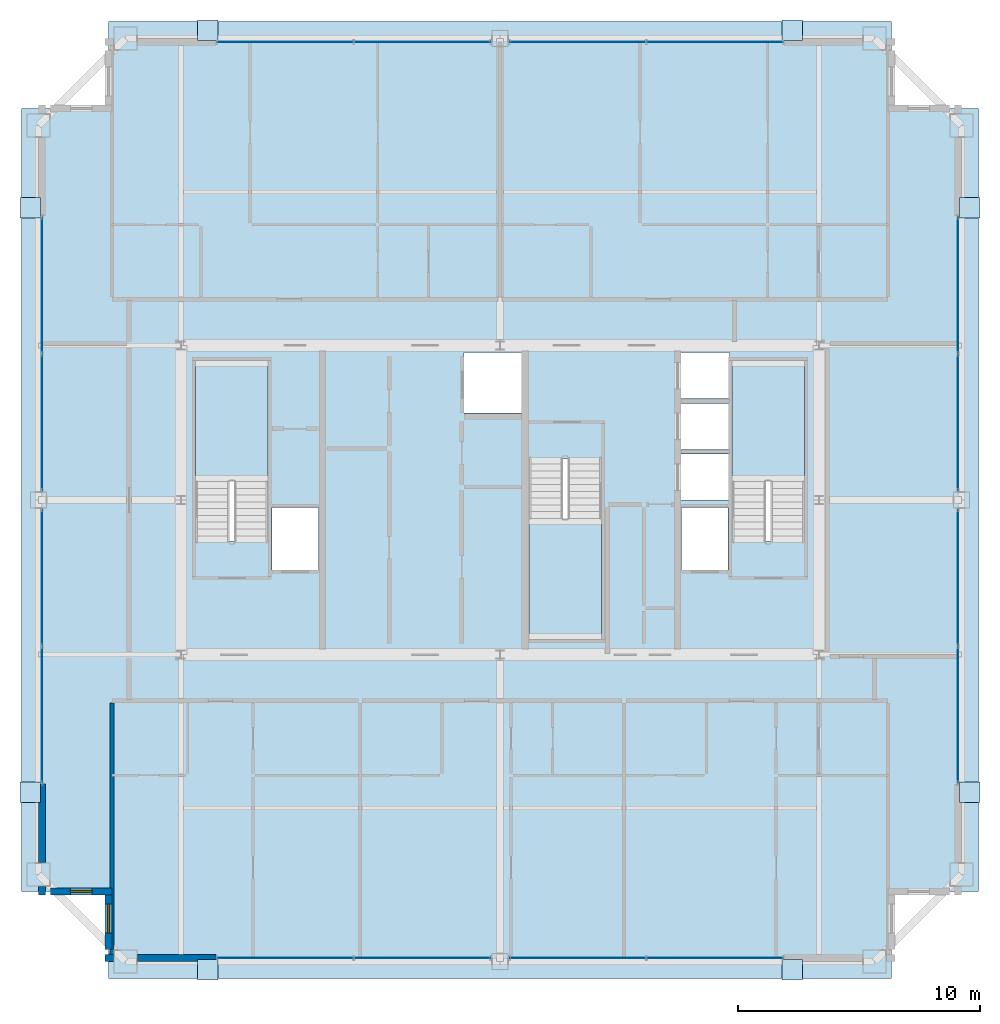
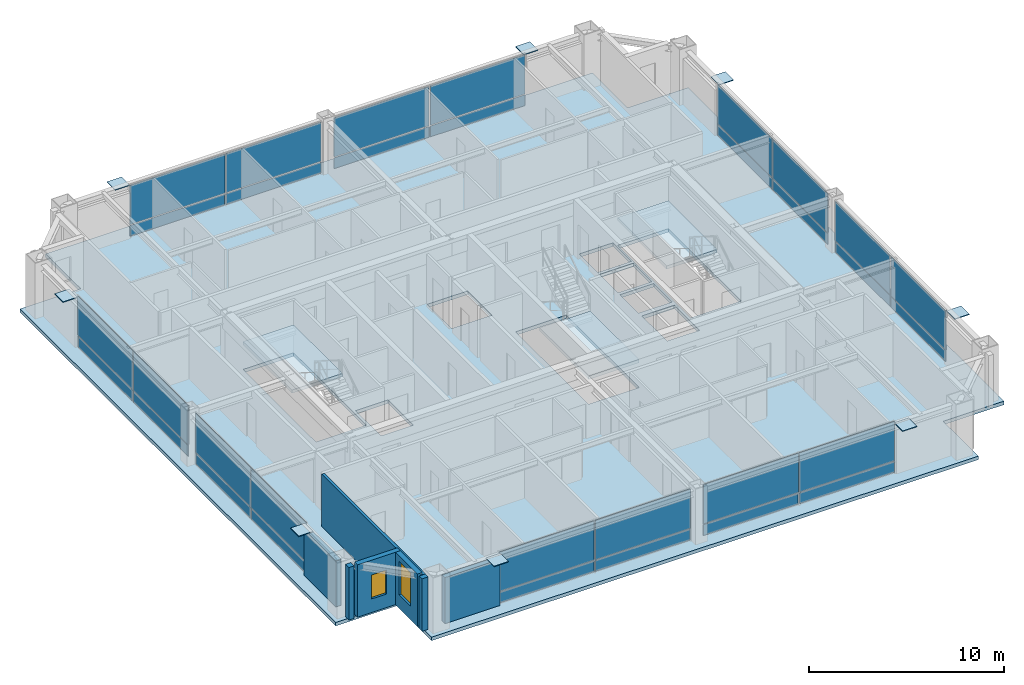
# One storey, part 29 of 35: 40 plates, 7 walls, 4 slabs, 2 windows, 2 openings, 11 elements without a shape of their own.
"""IFC4 building model written with IfcOpenShell, lengths in metres."""

import ifcopenshell
import ifcopenshell.guid

model = None  # the IFC model being written
_history = None  # IfcOwnerHistory: only IFC2X3 demands one
_inside = {}  # id of a spatial element -> (the spatial element, [elements in it])
_under = {}  # id of a project, library or spatial element -> (it, [spatial elements below it])
_declared = {}  # id of a project -> (the project, [libraries it declares])
_typed = {}  # id of a type object -> (the type object, [elements of that type])
_made_of = {}  # id of a material, layer set ... -> (it, [elements and type objects made of it])


def new_model(schema):
    """Start an empty IFC model of exactly this schema.

    Asked for "IFC4X3", IfcOpenShell would pick the latest addendum, in which some entities
    have other attributes; the version numbers below select the first issue.
    IFC2X3 requires an IfcOwnerHistory on every rooted entity: one is made here for all.
    """
    global model, _history
    if schema == "IFC4X3":
        model = ifcopenshell.file(schema_version=(4, 3, 0, 0))
    else:
        model = ifcopenshell.file(schema=schema)
    _inside.clear()
    _under.clear()
    _declared.clear()
    _typed.clear()
    _made_of.clear()
    _history = None
    if model.schema == "IFC2X3":
        org = make("IfcOrganization", Name="unknown")
        user = make(
            "IfcPersonAndOrganization",
            ThePerson=make("IfcPerson", FamilyName="unknown"),
            TheOrganization=org,
        )
        app = make(
            "IfcApplication",
            ApplicationDeveloper=org,
            Version="unknown",
            ApplicationFullName="unknown",
            ApplicationIdentifier="unknown",
        )
        _history = make(
            "IfcOwnerHistory",
            OwningUser=user,
            OwningApplication=app,
            ChangeAction="ADDED",
            CreationDate=0,
        )
    return model


def make(cls, **values):
    """One entity of the class cls with the attributes given. An attribute that is None is left unset."""
    return model.create_entity(
        cls, **{name: value for name, value in values.items() if value is not None}
    )


def rooted(cls, **values):
    """An entity with a GlobalId (a new one), such as an element, a storey or a relation."""
    return make(cls, GlobalId=ifcopenshell.guid.new(), OwnerHistory=_history, **values)


def si_unit(unit_type, name, prefix=None):
    """IfcSIUnit, for example si_unit("LENGTHUNIT", "METRE", prefix="MILLI")."""
    return make("IfcSIUnit", UnitType=unit_type, Prefix=prefix, Name=name)


def assignment(units):
    """IfcUnitAssignment: the units of a project."""
    return None if units is None else make("IfcUnitAssignment", Units=units)


def point(xyz):
    """IfcCartesianPoint."""
    return None if xyz is None else make("IfcCartesianPoint", Coordinates=xyz)


def direction(xyz):
    """IfcDirection."""
    return None if xyz is None else make("IfcDirection", DirectionRatios=xyz)


def frame(location, z_axis=None, x_axis=None):
    """IfcAxis2Placement3D, a coordinate frame: its origin and axes. An axis left out is left unset."""
    return make(
        "IfcAxis2Placement3D",
        Location=point(location),
        Axis=direction(z_axis),
        RefDirection=direction(x_axis),
    )


def frame_2d(location, x_axis=None):
    """IfcAxis2Placement2D, a coordinate frame in the plane: its origin and x axis."""
    return make(
        "IfcAxis2Placement2D", Location=point(location), RefDirection=direction(x_axis)
    )


def origin():
    """The frame at (0, 0, 0) with its axes left unset."""
    return frame((0.0, 0.0, 0.0))


def origin_2d():
    """The frame at (0, 0) in the plane with its x axis left unset."""
    return frame_2d((0.0, 0.0))


def place(relative_to, where):
    """IfcLocalPlacement: puts the frame where relative to a parent placement (None: the world)."""
    return make(
        "IfcLocalPlacement", PlacementRelTo=relative_to, RelativePlacement=where
    )


def context(
    kind, dimensions, precision=None, world=None, true_north=None, identifier=None
):
    """IfcGeometricRepresentationContext, for example the 3D "Model" context."""
    return make(
        "IfcGeometricRepresentationContext",
        ContextIdentifier=identifier,
        ContextType=kind,
        CoordinateSpaceDimension=dimensions,
        Precision=precision,
        WorldCoordinateSystem=world,
        TrueNorth=true_north,
    )


def subcontext(parent, identifier, kind, view, scale=None):
    """IfcGeometricRepresentationSubContext, for example "Body" below "Model"."""
    return make(
        "IfcGeometricRepresentationSubContext",
        ContextIdentifier=identifier,
        ContextType=kind,
        ParentContext=parent,
        TargetScale=scale,
        TargetView=view,
    )


def project(units=None, contexts=None):
    """IfcProject with its units and contexts."""
    return rooted(
        "IfcProject",
        Name="project",
        RepresentationContexts=contexts,
        UnitsInContext=assignment(units),
    )


def spatial(cls, under=None, at=None, **own):
    """A site, building, storey or space (cls), placed at a placement, below another one or the project."""
    s = rooted(cls, ObjectPlacement=at, **own)
    if under is not None:
        _under.setdefault(under.id(), (under, []))[1].append(s)
    return s


def polyline(points):
    """IfcPolyline through the points."""
    return make("IfcPolyline", Points=[point(p) for p in points])


def profile(cls, at=None, kind="AREA", **sizes):
    """A parametric profile (cls). Its sizes go by their IFC names, for example OverallWidth=200.0."""
    return make(cls, ProfileType=kind, Position=at, **sizes)


def rectangle(**sizes):
    """IfcRectangleProfileDef."""
    return profile("IfcRectangleProfileDef", **sizes)


def outline(outer, holes=None, kind="AREA"):
    """IfcArbitraryClosedProfileDef: a profile drawn as a closed curve; with holes, ...WithVoids."""
    if holes is None:
        return make("IfcArbitraryClosedProfileDef", ProfileType=kind, OuterCurve=outer)
    return make(
        "IfcArbitraryProfileDefWithVoids",
        ProfileType=kind,
        OuterCurve=outer,
        InnerCurves=holes,
    )


def extrude(swept, where, along, depth):
    """IfcExtrudedAreaSolid: the profile swept, set in the frame where, extruded along a direction by depth."""
    return make(
        "IfcExtrudedAreaSolid",
        SweptArea=swept,
        Position=where,
        ExtrudedDirection=direction(along),
        Depth=depth,
    )


def shape(context_of_items, identifier, shape_type, items):
    """IfcShapeRepresentation: the items that make up one representation, for example the "Body"."""
    return make(
        "IfcShapeRepresentation",
        ContextOfItems=context_of_items,
        RepresentationIdentifier=identifier,
        RepresentationType=shape_type,
        Items=items,
    )


def source(mapping_origin, context_of_items, identifier, shape_type, items):
    """IfcRepresentationMap: a shape defined once, which mapped items show again and again."""
    return make(
        "IfcRepresentationMap",
        MappingOrigin=mapping_origin,
        MappedRepresentation=shape(context_of_items, identifier, shape_type, items),
    )


def transform(
    local_origin,
    x_axis=None,
    y_axis=None,
    z_axis=None,
    scale=None,
    scale2=None,
    scale3=None,
    uniform=True,
):
    """IfcCartesianTransformationOperator3D, or its non-uniform kind. x_axis, y_axis, z_axis: its Axis1, 2, 3."""
    if uniform:
        return make(
            "IfcCartesianTransformationOperator3D",
            Axis1=direction(x_axis),
            Axis2=direction(y_axis),
            LocalOrigin=point(local_origin),
            Scale=scale,
            Axis3=direction(z_axis),
        )
    return make(
        "IfcCartesianTransformationOperator3DnonUniform",
        Axis1=direction(x_axis),
        Axis2=direction(y_axis),
        LocalOrigin=point(local_origin),
        Scale=scale,
        Axis3=direction(z_axis),
        Scale2=scale2,
        Scale3=scale3,
    )


def mapped(mapping_source, mapping_target):
    """IfcMappedItem: shows the shape of a source again, moved by a transform."""
    return make(
        "IfcMappedItem", MappingSource=mapping_source, MappingTarget=mapping_target
    )


def material(Name=None, Category=None):
    """IfcMaterial."""
    return make("IfcMaterial", Name=Name, Category=Category)


def layer(
    of_material, thickness, ventilated=None, Name=None, Category=None, Priority=None
):
    """IfcMaterialLayer: one layer of a wall or slab, of a material (None: an air gap)."""
    return make(
        "IfcMaterialLayer",
        Material=of_material,
        LayerThickness=thickness,
        IsVentilated=ventilated,
        Name=Name,
        Category=Category,
        Priority=Priority,
    )


def layer_set(layers, Name=None):
    """IfcMaterialLayerSet."""
    return make("IfcMaterialLayerSet", MaterialLayers=layers, LayerSetName=Name)


def made_of(thing, what):
    """Note that an element or type object is made of a material, layer set ...; save() writes the relation."""
    if what is not None:
        _made_of.setdefault(what.id(), (what, []))[1].append(thing)
    return thing


def type_object(cls, material=None, **own):
    """A type object (cls), such as IfcWallType, which elements share."""
    return made_of(rooted(cls, **own), material)


def element(
    cls,
    number,
    at=None,
    inside=None,
    cuts=None,
    type_object=None,
    material=None,
    context=None,
    identifier="Body",
    shape_type=None,
    held_by="IfcProductDefinitionShape",
    body=None,
    shapes=None,
    **own,
):
    """One element of the class cls, such as IfcWall. Its Tag is "e" and its number.

    at: its placement. inside: the storey or other place that contains it. cuts: it is an
    opening in that element (IfcRelVoidsElement). A single representation is given by context,
    identifier, shape_type and body (its items); several are given by shapes. held_by: the class
    of the entity that holds the representations. save() writes the other relations.
    """
    e = rooted(cls, Tag="e%d" % number, ObjectPlacement=at, **own)
    if body is not None:
        shapes = [shape(context, identifier, shape_type, body)]
    if shapes is not None:
        e.Representation = make(held_by, Representations=shapes)
    if inside is not None:
        _inside.setdefault(inside.id(), (inside, []))[1].append(e)
    if cuts is not None:
        rooted(
            "IfcRelVoidsElement", RelatingBuildingElement=cuts, RelatedOpeningElement=e
        )
    if type_object is not None:
        _typed.setdefault(type_object.id(), (type_object, []))[1].append(e)
    return made_of(e, material)


def fill(opening, filler):
    """IfcRelFillsElement: the door or window that sits in an opening."""
    return rooted(
        "IfcRelFillsElement",
        RelatingOpeningElement=opening,
        RelatedBuildingElement=filler,
    )


def aggregate(whole, parts):
    """IfcRelAggregates: a whole, such as a stair, and the parts it consists of."""
    return rooted("IfcRelAggregates", RelatingObject=whole, RelatedObjects=parts)


def save(model, path):
    """Write the relations noted so far, then the file.

    IfcRelAggregates (storeys below a building ...), IfcRelContainedInSpatialStructure (elements
    in a storey), IfcRelDefinesByType, IfcRelAssociatesMaterial and IfcRelDeclares: one each for
    every whole, place, type object, material and project.
    """
    for whole, parts in _under.values():
        aggregate(whole, parts)
    for where, things in _inside.values():
        rooted(
            "IfcRelContainedInSpatialStructure",
            RelatedElements=things,
            RelatingStructure=where,
        )
    for kind, things in _typed.values():
        rooted("IfcRelDefinesByType", RelatedObjects=things, RelatingType=kind)
    for what, things in _made_of.values():
        rooted("IfcRelAssociatesMaterial", RelatedObjects=things, RelatingMaterial=what)
    for by, libraries in _declared.values():
        rooted("IfcRelDeclares", RelatingContext=by, RelatedDefinitions=libraries)
    model.write(path)


model = new_model("IFC4")

# Units and contexts
model_context = context("Model", 3, precision=1e-05, world=origin(), true_north=direction((0.0, 1.0)))
body_context = subcontext(model_context, "Body", "Model", "MODEL_VIEW")
ifc_project = project(units=[si_unit("LENGTHUNIT", "METRE"), si_unit("AREAUNIT", "SQUARE_METRE"), si_unit("VOLUMEUNIT", "CUBIC_METRE"), si_unit("PLANEANGLEUNIT", "RADIAN"), si_unit("MASSUNIT", "GRAM", prefix="KILO"), si_unit("THERMODYNAMICTEMPERATUREUNIT", "KELVIN"), si_unit("POWERUNIT", "WATT")], contexts=[model_context])

# Site, building, storey
site_placement = place(None, origin())
site = spatial("IfcSite", under=ifc_project, at=site_placement, CompositionType="ELEMENT")
building_placement = place(site_placement, origin())
building = spatial("IfcBuilding", under=site, at=building_placement, Name="Yuzanri Waterfront Tower", CompositionType="ELEMENT")
storey_placement = place(building_placement, frame((0.0, 0.0, 311.199951171875)))
storey = spatial("IfcBuildingStorey", under=building, at=storey_placement, Name="L83", CompositionType="ELEMENT", Elevation=311.199951171875)

# Stair, slab
ifc_material_1 = material(Name="Concrete C40", Category="concrete")
stair_type = type_object("IfcStairType", Name="Concrete C40 Core Dogleg Exit Stair", PredefinedType="HALF_TURN_STAIR", material=ifc_material_1)
stair_1_placement = place(storey_placement, origin())
stair_1 = element("IfcStair", 1, at=stair_1_placement, inside=storey, type_object=stair_type, Name="L83 Smoke-Proof Core Stair ST-01", PredefinedType="HALF_TURN_STAIR")
ifc_material_2 = material(Name="Concrete C40", Category="concrete")
ifc_layer_1 = layer(ifc_material_2, 0.179931640625)
ifc_layer_set_1 = layer_set([ifc_layer_1], Name="Concrete C40")
slab_type_1 = type_object("IfcSlabType", Name="Concrete C40 Stair Half-Landing Slab 180", PredefinedType="LANDING", material=ifc_layer_set_1)
slab_1_placement = place(storey_placement, frame((0.0, 0.0, 1.550048828125)))
slab_1 = element("IfcSlab", 2, at=slab_1_placement, type_object=slab_type_1, Name="ST-01 landing 1", PredefinedType="LANDING", context=body_context, shape_type="SweptSolid", body=[
    extrude(outline(polyline([(27.39990234375, 26.56005859375), (27.39990234375, 31.580078125), (24.39990234375, 31.580078125), (24.39990234375, 26.56005859375), (27.39990234375, 26.56005859375)])), origin(), (0.0, 0.0, 1.0), 0.199951171875),
])
aggregate(stair_1, [slab_1])

stair_2_placement = place(storey_placement, origin())
stair_2 = element("IfcStair", 3, at=stair_2_placement, inside=storey, type_object=stair_type, Name="L83 Smoke-Proof Core Stair ST-02", PredefinedType="HALF_TURN_STAIR")
slab_2_placement = place(storey_placement, frame((0.0, 0.0, 1.550048828125)))
slab_2 = element("IfcSlab", 4, at=slab_2_placement, type_object=slab_type_1, Name="ST-02 landing 1", PredefinedType="LANDING", context=body_context, shape_type="SweptSolid", body=[
    extrude(outline(polyline([(49.60009765625, 26.56005859375), (49.60009765625, 31.580078125), (46.60009765625, 31.580078125), (46.60009765625, 26.56005859375), (49.60009765625, 26.56005859375)])), origin(), (0.0, 0.0, 1.0), 0.199951171875),
])
aggregate(stair_2, [slab_2])

stair_3_placement = place(storey_placement, origin())
stair_3 = element("IfcStair", 5, at=stair_3_placement, inside=storey, type_object=stair_type, Name="L83 Smoke-Proof Core Stair ST-03", PredefinedType="HALF_TURN_STAIR")
slab_3_placement = place(storey_placement, frame((0.0, 0.0, 1.550048828125)))
slab_3 = element("IfcSlab", 6, at=slab_3_placement, type_object=slab_type_1, Name="ST-03 landing 1", PredefinedType="LANDING", context=body_context, shape_type="SweptSolid", body=[
    extrude(outline(polyline([(38.199951171875, 25.0400390625), (38.199951171875, 20.02001953125), (41.199951171875, 20.02001953125), (41.199951171875, 25.0400390625), (38.199951171875, 25.0400390625)])), origin(), (0.0, 0.0, 1.0), 0.199951171875),
])
aggregate(stair_3, [slab_3])

# Slab
ifc_material_3 = material(Name="Concrete C40", Category="concrete")
ifc_layer_2 = layer(ifc_material_3, 0.219970703125)
ifc_layer_set_2 = layer_set([ifc_layer_2], Name="Concrete C40")
slab_type_2 = type_object("IfcSlabType", Name="Concrete C40 Tower Typical Structural Floor Slab 220", PredefinedType="FLOOR", material=ifc_layer_set_2)
slab_4_placement = place(storey_placement, frame((0.0, 0.0, -0.219970703125)))
element("IfcSlab", 7, at=slab_4_placement, inside=storey, type_object=slab_type_2, Name="L83 Main Structural Floor Slab", PredefinedType="FLOOR", context=body_context, shape_type="SweptSolid", body=[
    extrude(outline(polyline([(20.800048828125, 6.0), (53.199951171875, 6.0), (53.199951171875, 9.60009765625), (56.800048828125, 9.60009765625), (56.800048828125, 42.0), (53.199951171875, 42.0), (53.199951171875, 45.60009765625), (20.800048828125, 45.60009765625), (20.800048828125, 42.0), (17.199951171875, 42.0), (17.199951171875, 9.60009765625), (20.800048828125, 9.60009765625), (20.800048828125, 6.0)]), holes=[polyline([(27.39990234375, 24.10009765625), (27.39990234375, 31.580078125), (24.39990234375, 31.580078125), (24.39990234375, 24.10009765625), (27.39990234375, 24.10009765625)]), polyline([(49.60009765625, 24.10009765625), (49.60009765625, 31.580078125), (46.60009765625, 31.580078125), (46.60009765625, 24.10009765625), (49.60009765625, 24.10009765625)]), polyline([(38.199951171875, 27.5), (38.199951171875, 20.02001953125), (41.199951171875, 20.02001953125), (41.199951171875, 27.5), (38.199951171875, 27.5)]), polyline([(27.56005859375, 22.89990234375), (29.47998046875, 22.89990234375), (29.47998046875, 25.5), (27.56005859375, 25.5), (27.56005859375, 22.89990234375)]), polyline([(44.52001953125, 22.89990234375), (46.43994140625, 22.89990234375), (46.43994140625, 25.5), (44.52001953125, 25.5), (44.52001953125, 22.89990234375)]), polyline([(35.5, 29.39990234375), (37.89990234375, 29.39990234375), (37.89990234375, 31.89990234375), (35.5, 31.89990234375), (35.5, 29.39990234375)]), polyline([(44.5, 25.800048828125), (46.5, 25.800048828125), (46.5, 27.699951171875), (44.5, 27.699951171875), (44.5, 25.800048828125)]), polyline([(44.5, 27.89990234375), (46.5, 27.89990234375), (46.5, 29.800048828125), (44.5, 29.800048828125), (44.5, 27.89990234375)]), polyline([(44.5, 30.0), (46.5, 30.0), (46.5, 31.89990234375), (44.5, 31.89990234375), (44.5, 30.0)])]), origin(), (0.0, 0.0, 1.0), 0.219970703125),
])

# Plates
ifc_material_4 = material(Name="Steel Q420GJC", Category="steel")
ifc_layer_3 = layer(ifc_material_4, 0.0400390625)
ifc_layer_set_3 = layer_set([ifc_layer_3], Name="Steel Q420GJC")
plate_type_1 = type_object("IfcPlateType", Name="Steel Q420GJC Mega-Brace Gusset and End-Cap Plate 40", PredefinedType="SHEET", material=ifc_layer_set_3)
shared_shape_1 = source(origin(), body_context, "Body", "SweptSolid", [
    extrude(rectangle(XDim=0.85009765625, YDim=0.85009765625, at=origin_2d()), origin(), (0.0, 0.0, 1.0), 0.0400390625),
])
for number, where, z_axis, x_axis, name in (
    (8, (24.89990234375, 6.360107421875, 3.159912109375), (0.0, 0.0, 1.0), (1.0, 0.0, 0.0), "L83 Mega-Brace Apex Cap Plate S-L"),
    (9, (49.10009765625, 6.360107421875, 3.159912109375), (0.0, 0.0, 1.0), (1.0, 0.0, 0.0), "L83 Mega-Brace Apex Cap Plate S-R"),
    (10, (24.89990234375, 45.239990234375, 3.159912109375), (0.0, 0.0, 1.0), (1.0, 0.0, 0.0), "L83 Mega-Brace Apex Cap Plate N-L"),
    (11, (49.10009765625, 45.239990234375, 3.159912109375), (0.0, 0.0, 1.0), (1.0, 0.0, 0.0), "L83 Mega-Brace Apex Cap Plate N-R"),
    (12, (17.56005859375, 13.699951171875, 3.159912109375), (0.0, 0.0, 1.0), (1.0, 0.0, 0.0), "L83 Mega-Brace Apex Cap Plate W-L"),
    (13, (17.56005859375, 37.89990234375, 3.159912109375), (0.0, 0.0, 1.0), (1.0, 0.0, 0.0), "L83 Mega-Brace Apex Cap Plate W-R"),
    (14, (56.43994140625, 13.699951171875, 3.159912109375), (0.0, 0.0, 1.0), (1.0, 0.0, 0.0), "L83 Mega-Brace Apex Cap Plate E-L"),
    (15, (56.43994140625, 37.89990234375, 3.159912109375), (0.0, 0.0, 1.0), (1.0, 0.0, 0.0), "L83 Mega-Brace Apex Cap Plate E-R"),
):
    element("IfcPlate", number, at=place(storey_placement, frame(where, z_axis=z_axis, x_axis=x_axis)), inside=storey, type_object=plate_type_1, Name=name, PredefinedType="SHEET", context=body_context, shape_type="MappedRepresentation", body=[
        mapped(shared_shape_1, transform((0.0, 0.0, 0.0), scale=1.0)),
    ])

# Curtain wall, plates
ifc_material_5 = material(Name="Anodized Architectural Bronze", Category="metal")
ifc_layer_4 = layer(ifc_material_5, 0.159912109375)
ifc_layer_set_4 = layer_set([ifc_layer_4], Name="Anodized Architectural Bronze")
curtain_wall_type = type_object("IfcCurtainWallType", Name="Anodized Bronze High-Rise Penthouse High-Wind Unitized Curtain Wall 6900", PredefinedType="NOTDEFINED", material=ifc_layer_set_4)
curtain_wall_1_placement = place(storey_placement, origin())
curtain_wall_1 = element("IfcCurtainWall", 16, at=curtain_wall_1_placement, inside=storey, type_object=curtain_wall_type, Name="L83 Curtain Wall CW-L83-SL", PredefinedType="NOTDEFINED")
ifc_material_6 = material(Name="Anodized Architectural Bronze", Category="metal")
ifc_layer_5 = layer(ifc_material_6, 0.028076171875)
ifc_layer_set_5 = layer_set([ifc_layer_5], Name="Anodized Architectural Bronze")
plate_type_2 = type_object("IfcPlateType", Name="Bronze Insulated Spandrel Shadow-Box Panel 28", PredefinedType="CURTAIN_PANEL", material=ifc_layer_set_5)
shared_shape_2 = source(origin(), body_context, "Body", "SweptSolid", [
    extrude(rectangle(XDim=5.6201171875, YDim=0.028076171875, at=origin_2d()), origin(), (0.0, 0.0, 1.0), 0.674072265625),
])
plate_1_placement = place(storey_placement, frame((28.10009765625, 6.85009765625, 0.0498046875), z_axis=(0.0, 0.0, 1.0), x_axis=(1.0, 0.0, 0.0)))
plate_1 = element("IfcPlate", 17, at=plate_1_placement, type_object=plate_type_2, Name="CW-L83-SL Spandrel Panel 01", PredefinedType="CURTAIN_PANEL", context=body_context, shape_type="MappedRepresentation", body=[
    mapped(shared_shape_2, transform((0.0, 0.0, 0.0), scale=1.0)),
])
plate_2_placement = place(storey_placement, frame((33.800048828125, 6.85009765625, 0.0498046875), z_axis=(0.0, 0.0, 1.0), x_axis=(1.0, 0.0, 0.0)))
plate_2 = element("IfcPlate", 18, at=plate_2_placement, type_object=plate_type_2, Name="CW-L83-SL Spandrel Panel 02", PredefinedType="CURTAIN_PANEL", context=body_context, shape_type="MappedRepresentation", body=[
    mapped(shared_shape_2, transform((0.0, 0.0, 0.0), scale=1.0)),
])

curtain_wall_2_placement = place(storey_placement, origin())
curtain_wall_2 = element("IfcCurtainWall", 19, at=curtain_wall_2_placement, inside=storey, type_object=curtain_wall_type, Name="L83 Curtain Wall CW-L83-SR", PredefinedType="NOTDEFINED")
plate_3_placement = place(storey_placement, frame((40.199951171875, 6.85009765625, 0.0498046875), z_axis=(0.0, 0.0, 1.0), x_axis=(1.0, 0.0, 0.0)))
plate_3 = element("IfcPlate", 20, at=plate_3_placement, type_object=plate_type_2, Name="CW-L83-SR Spandrel Panel 01", PredefinedType="CURTAIN_PANEL", context=body_context, shape_type="MappedRepresentation", body=[
    mapped(shared_shape_2, transform((0.0, 0.0, 0.0), scale=1.0)),
])
plate_4_placement = place(storey_placement, frame((45.89990234375, 6.85009765625, 0.0498046875), z_axis=(0.0, 0.0, 1.0), x_axis=(1.0, 0.0, 0.0)))
plate_4 = element("IfcPlate", 21, at=plate_4_placement, type_object=plate_type_2, Name="CW-L83-SR Spandrel Panel 02", PredefinedType="CURTAIN_PANEL", context=body_context, shape_type="MappedRepresentation", body=[
    mapped(shared_shape_2, transform((0.0, 0.0, 0.0), scale=1.0)),
])

curtain_wall_3_placement = place(storey_placement, origin())
curtain_wall_3 = element("IfcCurtainWall", 22, at=curtain_wall_3_placement, inside=storey, type_object=curtain_wall_type, Name="L83 Curtain Wall CW-L83-NL", PredefinedType="NOTDEFINED")
plate_5_placement = place(storey_placement, frame((28.10009765625, 44.75, 0.0498046875), z_axis=(0.0, 0.0, 1.0), x_axis=(1.0, 0.0, 0.0)))
plate_5 = element("IfcPlate", 23, at=plate_5_placement, type_object=plate_type_2, Name="CW-L83-NL Spandrel Panel 01", PredefinedType="CURTAIN_PANEL", context=body_context, shape_type="MappedRepresentation", body=[
    mapped(shared_shape_2, transform((0.0, 0.0, 0.0), scale=1.0)),
])
plate_6_placement = place(storey_placement, frame((33.800048828125, 44.75, 0.0498046875), z_axis=(0.0, 0.0, 1.0), x_axis=(1.0, 0.0, 0.0)))
plate_6 = element("IfcPlate", 24, at=plate_6_placement, type_object=plate_type_2, Name="CW-L83-NL Spandrel Panel 02", PredefinedType="CURTAIN_PANEL", context=body_context, shape_type="MappedRepresentation", body=[
    mapped(shared_shape_2, transform((0.0, 0.0, 0.0), scale=1.0)),
])

curtain_wall_4_placement = place(storey_placement, origin())
curtain_wall_4 = element("IfcCurtainWall", 25, at=curtain_wall_4_placement, inside=storey, type_object=curtain_wall_type, Name="L83 Curtain Wall CW-L83-NR", PredefinedType="NOTDEFINED")
plate_7_placement = place(storey_placement, frame((40.199951171875, 44.75, 0.0498046875), z_axis=(0.0, 0.0, 1.0), x_axis=(1.0, 0.0, 0.0)))
plate_7 = element("IfcPlate", 26, at=plate_7_placement, type_object=plate_type_2, Name="CW-L83-NR Spandrel Panel 01", PredefinedType="CURTAIN_PANEL", context=body_context, shape_type="MappedRepresentation", body=[
    mapped(shared_shape_2, transform((0.0, 0.0, 0.0), scale=1.0)),
])
plate_8_placement = place(storey_placement, frame((45.89990234375, 44.75, 0.0498046875), z_axis=(0.0, 0.0, 1.0), x_axis=(1.0, 0.0, 0.0)))
plate_8 = element("IfcPlate", 27, at=plate_8_placement, type_object=plate_type_2, Name="CW-L83-NR Spandrel Panel 02", PredefinedType="CURTAIN_PANEL", context=body_context, shape_type="MappedRepresentation", body=[
    mapped(shared_shape_2, transform((0.0, 0.0, 0.0), scale=1.0)),
])

curtain_wall_5_placement = place(storey_placement, origin())
curtain_wall_5 = element("IfcCurtainWall", 28, at=curtain_wall_5_placement, inside=storey, type_object=curtain_wall_type, Name="L83 Curtain Wall CW-L83-WL", PredefinedType="NOTDEFINED")
plate_9_placement = place(storey_placement, frame((18.050048828125, 16.89990234375, 0.0498046875), z_axis=(0.0, 0.0, 1.0), x_axis=(0.0, 1.0, 0.0)))
plate_9 = element("IfcPlate", 29, at=plate_9_placement, type_object=plate_type_2, Name="CW-L83-WL Spandrel Panel 01", PredefinedType="CURTAIN_PANEL", context=body_context, shape_type="MappedRepresentation", body=[
    mapped(shared_shape_2, transform((0.0, 0.0, 0.0), scale=1.0)),
])
plate_10_placement = place(storey_placement, frame((18.050048828125, 22.60009765625, 0.0498046875), z_axis=(0.0, 0.0, 1.0), x_axis=(0.0, 1.0, 0.0)))
plate_10 = element("IfcPlate", 30, at=plate_10_placement, type_object=plate_type_2, Name="CW-L83-WL Spandrel Panel 02", PredefinedType="CURTAIN_PANEL", context=body_context, shape_type="MappedRepresentation", body=[
    mapped(shared_shape_2, transform((0.0, 0.0, 0.0), scale=1.0)),
])

curtain_wall_6_placement = place(storey_placement, origin())
curtain_wall_6 = element("IfcCurtainWall", 31, at=curtain_wall_6_placement, inside=storey, type_object=curtain_wall_type, Name="L83 Curtain Wall CW-L83-WR", PredefinedType="NOTDEFINED")
plate_11_placement = place(storey_placement, frame((18.050048828125, 29.0, 0.0498046875), z_axis=(0.0, 0.0, 1.0), x_axis=(0.0, 1.0, 0.0)))
plate_11 = element("IfcPlate", 32, at=plate_11_placement, type_object=plate_type_2, Name="CW-L83-WR Spandrel Panel 01", PredefinedType="CURTAIN_PANEL", context=body_context, shape_type="MappedRepresentation", body=[
    mapped(shared_shape_2, transform((0.0, 0.0, 0.0), scale=1.0)),
])
plate_12_placement = place(storey_placement, frame((18.050048828125, 34.699951171875, 0.0498046875), z_axis=(0.0, 0.0, 1.0), x_axis=(0.0, 1.0, 0.0)))
plate_12 = element("IfcPlate", 33, at=plate_12_placement, type_object=plate_type_2, Name="CW-L83-WR Spandrel Panel 02", PredefinedType="CURTAIN_PANEL", context=body_context, shape_type="MappedRepresentation", body=[
    mapped(shared_shape_2, transform((0.0, 0.0, 0.0), scale=1.0)),
])

curtain_wall_7_placement = place(storey_placement, origin())
curtain_wall_7 = element("IfcCurtainWall", 34, at=curtain_wall_7_placement, inside=storey, type_object=curtain_wall_type, Name="L83 Curtain Wall CW-L83-EL", PredefinedType="NOTDEFINED")
plate_13_placement = place(storey_placement, frame((55.949951171875, 16.89990234375, 0.0498046875), z_axis=(0.0, 0.0, 1.0), x_axis=(0.0, 1.0, 0.0)))
plate_13 = element("IfcPlate", 35, at=plate_13_placement, type_object=plate_type_2, Name="CW-L83-EL Spandrel Panel 01", PredefinedType="CURTAIN_PANEL", context=body_context, shape_type="MappedRepresentation", body=[
    mapped(shared_shape_2, transform((0.0, 0.0, 0.0), scale=1.0)),
])
plate_14_placement = place(storey_placement, frame((55.949951171875, 22.60009765625, 0.0498046875), z_axis=(0.0, 0.0, 1.0), x_axis=(0.0, 1.0, 0.0)))
plate_14 = element("IfcPlate", 36, at=plate_14_placement, type_object=plate_type_2, Name="CW-L83-EL Spandrel Panel 02", PredefinedType="CURTAIN_PANEL", context=body_context, shape_type="MappedRepresentation", body=[
    mapped(shared_shape_2, transform((0.0, 0.0, 0.0), scale=1.0)),
])

curtain_wall_8_placement = place(storey_placement, origin())
curtain_wall_8 = element("IfcCurtainWall", 37, at=curtain_wall_8_placement, inside=storey, type_object=curtain_wall_type, Name="L83 Curtain Wall CW-L83-ER", PredefinedType="NOTDEFINED")
plate_15_placement = place(storey_placement, frame((55.949951171875, 29.0, 0.0498046875), z_axis=(0.0, 0.0, 1.0), x_axis=(0.0, 1.0, 0.0)))
plate_15 = element("IfcPlate", 38, at=plate_15_placement, type_object=plate_type_2, Name="CW-L83-ER Spandrel Panel 01", PredefinedType="CURTAIN_PANEL", context=body_context, shape_type="MappedRepresentation", body=[
    mapped(shared_shape_2, transform((0.0, 0.0, 0.0), scale=1.0)),
])
plate_16_placement = place(storey_placement, frame((55.949951171875, 34.699951171875, 0.0498046875), z_axis=(0.0, 0.0, 1.0), x_axis=(0.0, 1.0, 0.0)))
plate_16 = element("IfcPlate", 39, at=plate_16_placement, type_object=plate_type_2, Name="CW-L83-ER Spandrel Panel 02", PredefinedType="CURTAIN_PANEL", context=body_context, shape_type="MappedRepresentation", body=[
    mapped(shared_shape_2, transform((0.0, 0.0, 0.0), scale=1.0)),
])

# Plate
ifc_material_7 = material(Name="Triple Low-E Laminated Insulated Glass", Category="glass")
ifc_layer_6 = layer(ifc_material_7, 0.0439453125)
ifc_layer_set_6 = layer_set([ifc_layer_6], Name="Triple Low-E Laminated Insulated Glass")
plate_type_3 = type_object("IfcPlateType", Name="Triple Glazed Acoustic Vision Glass Panel 44", PredefinedType="CURTAIN_PANEL", material=ifc_layer_set_6)
shared_shape_3 = source(origin(), body_context, "Body", "SweptSolid", [
    extrude(rectangle(XDim=5.6201171875, YDim=0.0439453125, at=origin_2d()), origin(), (0.0, 0.0, 1.0), 2.446044921875),
])
plate_17_placement = place(storey_placement, frame((28.10009765625, 6.85009765625, 0.7841796875), z_axis=(0.0, 0.0, 1.0), x_axis=(1.0, 0.0, 0.0)))
plate_17 = element("IfcPlate", 40, at=plate_17_placement, type_object=plate_type_3, Name="CW-L83-SL Vision Glass Panel 01", PredefinedType="CURTAIN_PANEL", context=body_context, shape_type="MappedRepresentation", body=[
    mapped(shared_shape_3, transform((0.0, 0.0, 0.0), scale=1.0)),
])

plate_18_placement = place(storey_placement, frame((33.800048828125, 6.85009765625, 0.7841796875), z_axis=(0.0, 0.0, 1.0), x_axis=(1.0, 0.0, 0.0)))
plate_18 = element("IfcPlate", 41, at=plate_18_placement, type_object=plate_type_3, Name="CW-L83-SL Vision Glass Panel 02", PredefinedType="CURTAIN_PANEL", context=body_context, shape_type="MappedRepresentation", body=[
    mapped(shared_shape_3, transform((0.0, 0.0, 0.0), scale=1.0)),
])

aggregate(curtain_wall_1, [plate_1, plate_17, plate_2, plate_18])

plate_19_placement = place(storey_placement, frame((40.199951171875, 6.85009765625, 0.7841796875), z_axis=(0.0, 0.0, 1.0), x_axis=(1.0, 0.0, 0.0)))
plate_19 = element("IfcPlate", 42, at=plate_19_placement, type_object=plate_type_3, Name="CW-L83-SR Vision Glass Panel 01", PredefinedType="CURTAIN_PANEL", context=body_context, shape_type="MappedRepresentation", body=[
    mapped(shared_shape_3, transform((0.0, 0.0, 0.0), scale=1.0)),
])

plate_20_placement = place(storey_placement, frame((45.89990234375, 6.85009765625, 0.7841796875), z_axis=(0.0, 0.0, 1.0), x_axis=(1.0, 0.0, 0.0)))
plate_20 = element("IfcPlate", 43, at=plate_20_placement, type_object=plate_type_3, Name="CW-L83-SR Vision Glass Panel 02", PredefinedType="CURTAIN_PANEL", context=body_context, shape_type="MappedRepresentation", body=[
    mapped(shared_shape_3, transform((0.0, 0.0, 0.0), scale=1.0)),
])

aggregate(curtain_wall_2, [plate_3, plate_19, plate_4, plate_20])

plate_21_placement = place(storey_placement, frame((28.10009765625, 44.75, 0.7841796875), z_axis=(0.0, 0.0, 1.0), x_axis=(1.0, 0.0, 0.0)))
plate_21 = element("IfcPlate", 44, at=plate_21_placement, type_object=plate_type_3, Name="CW-L83-NL Vision Glass Panel 01", PredefinedType="CURTAIN_PANEL", context=body_context, shape_type="MappedRepresentation", body=[
    mapped(shared_shape_3, transform((0.0, 0.0, 0.0), scale=1.0)),
])

plate_22_placement = place(storey_placement, frame((33.800048828125, 44.75, 0.7841796875), z_axis=(0.0, 0.0, 1.0), x_axis=(1.0, 0.0, 0.0)))
plate_22 = element("IfcPlate", 45, at=plate_22_placement, type_object=plate_type_3, Name="CW-L83-NL Vision Glass Panel 02", PredefinedType="CURTAIN_PANEL", context=body_context, shape_type="MappedRepresentation", body=[
    mapped(shared_shape_3, transform((0.0, 0.0, 0.0), scale=1.0)),
])

aggregate(curtain_wall_3, [plate_5, plate_21, plate_6, plate_22])

plate_23_placement = place(storey_placement, frame((40.199951171875, 44.75, 0.7841796875), z_axis=(0.0, 0.0, 1.0), x_axis=(1.0, 0.0, 0.0)))
plate_23 = element("IfcPlate", 46, at=plate_23_placement, type_object=plate_type_3, Name="CW-L83-NR Vision Glass Panel 01", PredefinedType="CURTAIN_PANEL", context=body_context, shape_type="MappedRepresentation", body=[
    mapped(shared_shape_3, transform((0.0, 0.0, 0.0), scale=1.0)),
])

plate_24_placement = place(storey_placement, frame((45.89990234375, 44.75, 0.7841796875), z_axis=(0.0, 0.0, 1.0), x_axis=(1.0, 0.0, 0.0)))
plate_24 = element("IfcPlate", 47, at=plate_24_placement, type_object=plate_type_3, Name="CW-L83-NR Vision Glass Panel 02", PredefinedType="CURTAIN_PANEL", context=body_context, shape_type="MappedRepresentation", body=[
    mapped(shared_shape_3, transform((0.0, 0.0, 0.0), scale=1.0)),
])

aggregate(curtain_wall_4, [plate_7, plate_23, plate_8, plate_24])

plate_25_placement = place(storey_placement, frame((18.050048828125, 16.89990234375, 0.7841796875), z_axis=(0.0, 0.0, 1.0), x_axis=(0.0, 1.0, 0.0)))
plate_25 = element("IfcPlate", 48, at=plate_25_placement, type_object=plate_type_3, Name="CW-L83-WL Vision Glass Panel 01", PredefinedType="CURTAIN_PANEL", context=body_context, shape_type="MappedRepresentation", body=[
    mapped(shared_shape_3, transform((0.0, 0.0, 0.0), scale=1.0)),
])

plate_26_placement = place(storey_placement, frame((18.050048828125, 22.60009765625, 0.7841796875), z_axis=(0.0, 0.0, 1.0), x_axis=(0.0, 1.0, 0.0)))
plate_26 = element("IfcPlate", 49, at=plate_26_placement, type_object=plate_type_3, Name="CW-L83-WL Vision Glass Panel 02", PredefinedType="CURTAIN_PANEL", context=body_context, shape_type="MappedRepresentation", body=[
    mapped(shared_shape_3, transform((0.0, 0.0, 0.0), scale=1.0)),
])

aggregate(curtain_wall_5, [plate_9, plate_25, plate_10, plate_26])

plate_27_placement = place(storey_placement, frame((18.050048828125, 29.0, 0.7841796875), z_axis=(0.0, 0.0, 1.0), x_axis=(0.0, 1.0, 0.0)))
plate_27 = element("IfcPlate", 50, at=plate_27_placement, type_object=plate_type_3, Name="CW-L83-WR Vision Glass Panel 01", PredefinedType="CURTAIN_PANEL", context=body_context, shape_type="MappedRepresentation", body=[
    mapped(shared_shape_3, transform((0.0, 0.0, 0.0), scale=1.0)),
])

plate_28_placement = place(storey_placement, frame((18.050048828125, 34.699951171875, 0.7841796875), z_axis=(0.0, 0.0, 1.0), x_axis=(0.0, 1.0, 0.0)))
plate_28 = element("IfcPlate", 51, at=plate_28_placement, type_object=plate_type_3, Name="CW-L83-WR Vision Glass Panel 02", PredefinedType="CURTAIN_PANEL", context=body_context, shape_type="MappedRepresentation", body=[
    mapped(shared_shape_3, transform((0.0, 0.0, 0.0), scale=1.0)),
])

aggregate(curtain_wall_6, [plate_11, plate_27, plate_12, plate_28])

plate_29_placement = place(storey_placement, frame((55.949951171875, 16.89990234375, 0.7841796875), z_axis=(0.0, 0.0, 1.0), x_axis=(0.0, 1.0, 0.0)))
plate_29 = element("IfcPlate", 52, at=plate_29_placement, type_object=plate_type_3, Name="CW-L83-EL Vision Glass Panel 01", PredefinedType="CURTAIN_PANEL", context=body_context, shape_type="MappedRepresentation", body=[
    mapped(shared_shape_3, transform((0.0, 0.0, 0.0), scale=1.0)),
])

plate_30_placement = place(storey_placement, frame((55.949951171875, 22.60009765625, 0.7841796875), z_axis=(0.0, 0.0, 1.0), x_axis=(0.0, 1.0, 0.0)))
plate_30 = element("IfcPlate", 53, at=plate_30_placement, type_object=plate_type_3, Name="CW-L83-EL Vision Glass Panel 02", PredefinedType="CURTAIN_PANEL", context=body_context, shape_type="MappedRepresentation", body=[
    mapped(shared_shape_3, transform((0.0, 0.0, 0.0), scale=1.0)),
])

aggregate(curtain_wall_7, [plate_13, plate_29, plate_14, plate_30])

plate_31_placement = place(storey_placement, frame((55.949951171875, 29.0, 0.7841796875), z_axis=(0.0, 0.0, 1.0), x_axis=(0.0, 1.0, 0.0)))
plate_31 = element("IfcPlate", 54, at=plate_31_placement, type_object=plate_type_3, Name="CW-L83-ER Vision Glass Panel 01", PredefinedType="CURTAIN_PANEL", context=body_context, shape_type="MappedRepresentation", body=[
    mapped(shared_shape_3, transform((0.0, 0.0, 0.0), scale=1.0)),
])

plate_32_placement = place(storey_placement, frame((55.949951171875, 34.699951171875, 0.7841796875), z_axis=(0.0, 0.0, 1.0), x_axis=(0.0, 1.0, 0.0)))
plate_32 = element("IfcPlate", 55, at=plate_32_placement, type_object=plate_type_3, Name="CW-L83-ER Vision Glass Panel 02", PredefinedType="CURTAIN_PANEL", context=body_context, shape_type="MappedRepresentation", body=[
    mapped(shared_shape_3, transform((0.0, 0.0, 0.0), scale=1.0)),
])

aggregate(curtain_wall_8, [plate_15, plate_31, plate_16, plate_32])

# Wall, opening, window
ifc_material_8 = material(Name="Honed Chongqing Dark Basalt Stone", Category="masonry")
ifc_layer_7 = layer(ifc_material_8, 0.300048828125)
ifc_layer_set_7 = layer_set([ifc_layer_7], Name="Honed Chongqing Dark Basalt Stone")
wall_type_1 = type_object("IfcWallType", Name="Bronze Rainscreen Insulated Spandrel Portal Wall 300", PredefinedType="SOLIDWALL", material=ifc_layer_set_7)
wall_1_placement = place(storey_placement, frame((18.39990234375, 9.60009765625, 0.0), z_axis=(0.0, 0.0, 1.0), x_axis=(1.0, 0.0, 0.0)))
wall_1 = element("IfcWall", 56, at=wall_1_placement, inside=storey, type_object=wall_type_1, Name="L83 Notched Corner Masonry Wall SW-X", PredefinedType="SOLIDWALL", context=body_context, shape_type="SweptSolid", body=[
    extrude(rectangle(XDim=2.550048828125, YDim=0.300048828125, at=frame_2d((1.27490234375, 0.0))), origin(), (0.0, 0.0, 1.0), 3.280029296875),
])
opening_1_placement = place(wall_1_placement, frame((0.824951171875, 0.0, 0.85009765625)))
opening_1 = element("IfcOpeningElement", 57, at=opening_1_placement, cuts=wall_1, Name="Opening WN-05", PredefinedType="OPENING", context=body_context, shape_type="SweptSolid", body=[
    extrude(rectangle(XDim=0.89990234375, YDim=1.5, at=frame_2d((0.449951171875, 0.75))), frame((0.0, 0.1650390625, 0.0), z_axis=(0.0, -1.0, 0.0), x_axis=(1.0, 0.0, 0.0)), (0.0, 0.0, 1.0), 0.329833984375),
])
ifc_material_9 = material(Name="Double-Silver Low-E Insulated Glass", Category="glass")
window_type_1 = type_object("IfcWindowType", Name="Anodized Bronze Service and Stairwell Smoke-Vent Window 900x1500", PartitioningType="SINGLE_PANEL", PredefinedType="WINDOW", material=ifc_material_9)
shared_shape_4 = source(origin(), body_context, "Body", "SweptSolid", [
    extrude(rectangle(XDim=0.89990234375, YDim=1.5, at=frame_2d((0.449951171875, 0.75))), frame((0.0, 0.030029296875, 0.0), z_axis=(0.0, -1.0, 0.0), x_axis=(1.0, 0.0, 0.0)), (0.0, 0.0, 1.0), 0.06005859375),
])
window_1_placement = place(opening_1_placement, origin())
window_1 = element("IfcWindow", 58, at=window_1_placement, inside=storey, type_object=window_type_1, Name="L83 Notched Corner Window SW-X", OverallHeight=1.5, OverallWidth=0.89990234375, PartitioningType="SINGLE_PANEL", PredefinedType="WINDOW", context=body_context, shape_type="MappedRepresentation", body=[
    mapped(shared_shape_4, transform((0.0, 0.0, 0.0), scale=1.0)),
])
fill(opening_1, window_1)

wall_2_placement = place(storey_placement, frame((20.800048828125, 9.75, 0.0), z_axis=(0.0, 0.0, 1.0), x_axis=(0.0, -1.0, 0.0)))
wall_2 = element("IfcWall", 59, at=wall_2_placement, inside=storey, type_object=wall_type_1, Name="L83 Notched Corner Masonry Wall SW-Y", PredefinedType="SOLIDWALL", context=body_context, shape_type="SweptSolid", body=[
    extrude(rectangle(XDim=2.550048828125, YDim=0.300048828125, at=frame_2d((1.27490234375, 0.0))), origin(), (0.0, 0.0, 1.0), 3.280029296875),
])
opening_2_placement = place(wall_2_placement, frame((0.675048828125, 0.0, 0.85009765625)))
opening_2 = element("IfcOpeningElement", 60, at=opening_2_placement, cuts=wall_2, Name="Opening WN-02", PredefinedType="OPENING", context=body_context, shape_type="SweptSolid", body=[
    extrude(rectangle(XDim=1.199951171875, YDim=2.10009765625, at=frame_2d((0.60009765625, 1.050048828125))), frame((0.0, 0.1650390625, 0.0), z_axis=(0.0, -1.0, 0.0), x_axis=(1.0, 0.0, 0.0)), (0.0, 0.0, 1.0), 0.329833984375),
])
ifc_material_10 = material(Name="Double-Silver Low-E Insulated Glass", Category="glass")
window_type_2 = type_object("IfcWindowType", Name="Anodized Bronze Notched Corner Deep-Set Slot Window 1200x2100", PartitioningType="SINGLE_PANEL", PredefinedType="WINDOW", material=ifc_material_10)
shared_shape_5 = source(origin(), body_context, "Body", "SweptSolid", [
    extrude(rectangle(XDim=1.199951171875, YDim=2.10009765625, at=frame_2d((0.60009765625, 1.050048828125))), frame((0.0, 0.030029296875, 0.0), z_axis=(0.0, -1.0, 0.0), x_axis=(1.0, 0.0, 0.0)), (0.0, 0.0, 1.0), 0.06005859375),
])
window_2_placement = place(opening_2_placement, origin())
window_2 = element("IfcWindow", 61, at=window_2_placement, inside=storey, type_object=window_type_2, Name="L83 Notched Corner Window SW-Y", OverallHeight=2.10009765625, OverallWidth=1.199951171875, PartitioningType="SINGLE_PANEL", PredefinedType="WINDOW", context=body_context, shape_type="MappedRepresentation", body=[
    mapped(shared_shape_5, transform((0.0, 0.0, 0.0), scale=1.0)),
])
fill(opening_2, window_2)

# Walls
shared_shape_6 = source(origin(), body_context, "Body", "SweptSolid", [
    extrude(rectangle(XDim=3.25, YDim=0.300048828125, at=frame_2d((1.625, 0.0))), origin(), (0.0, 0.0, 1.0), 2.885009765625),
])
for number, where, z_axis, x_axis, name in (
    (62, (22.0, 6.85009765625, 0.0), (0.0, 0.0, 1.0), (1.0, 0.0, 0.0), "L83 S Left Braced Masonry Shoulder"),
    (63, (18.050048828125, 10.800048828125, 0.0), (0.0, 0.0, 1.0), (0.0, 1.0, 0.0), "L83 W Left Braced Masonry Shoulder"),
):
    element("IfcWall", number, at=place(storey_placement, frame(where, z_axis=z_axis, x_axis=x_axis)), inside=storey, type_object=wall_type_1, Name=name, PredefinedType="SOLIDWALL", context=body_context, shape_type="MappedRepresentation", body=[
        mapped(shared_shape_6, transform((0.0, 0.0, 0.0), scale=1.0)),
    ])
shared_shape_7 = source(origin(), body_context, "Body", "SweptSolid", [
    extrude(rectangle(XDim=0.35009765625, YDim=0.300048828125, at=frame_2d((0.175048828125, 0.0))), origin(), (0.0, 0.0, 1.0), 3.280029296875),
])
for number, where, z_axis, x_axis, name in (
    (64, (20.64990234375, 6.85009765625, 0.0), (0.0, 0.0, 1.0), (1.0, 0.0, 0.0), "L83 Corner Column Shoulder Return CSW"),
    (65, (18.050048828125, 9.449951171875, 0.0), (0.0, 0.0, 1.0), (0.0, 1.0, 0.0), "L83 Corner Column Shoulder Return CWS"),
):
    element("IfcWall", number, at=place(storey_placement, frame(where, z_axis=z_axis, x_axis=x_axis)), inside=storey, type_object=wall_type_1, Name=name, PredefinedType="SOLIDWALL", context=body_context, shape_type="MappedRepresentation", body=[
        mapped(shared_shape_7, transform((0.0, 0.0, 0.0), scale=1.0)),
    ])
ifc_material_11 = material(Name="Gypsum Fireboard Acoustic Stud Wall", Category="gypsum")
ifc_layer_8 = layer(ifc_material_11, 0.159912109375)
ifc_layer_set_8 = layer_set([ifc_layer_8], Name="Gypsum Fireboard Acoustic Stud Wall")
wall_type_2 = type_object("IfcWallType", Name="Acoustic Suite Demising Partition 160", PredefinedType="PARTITIONING", material=ifc_layer_set_8)
shared_shape_8 = source(origin(), body_context, "Body", "SweptSolid", [
    extrude(rectangle(XDim=10.389892578125, YDim=0.159912109375, at=frame_2d((5.19482421875, 0.0))), origin(), (0.0, 0.0, 1.0), 3.280029296875),
])
wall_3_placement = place(storey_placement, frame((20.949951171875, 7.0, 0.0), z_axis=(0.0, 0.0, 1.0), x_axis=(0.0, 1.0, 0.0)))
element("IfcWall", 66, at=wall_3_placement, inside=storey, type_object=wall_type_2, Name="L83 South Band West End Wall", PredefinedType="PARTITIONING", context=body_context, shape_type="MappedRepresentation", body=[
    mapped(shared_shape_8, transform((0.0, 0.0, 0.0), scale=1.0)),
])

save(model, "model.ifc")
